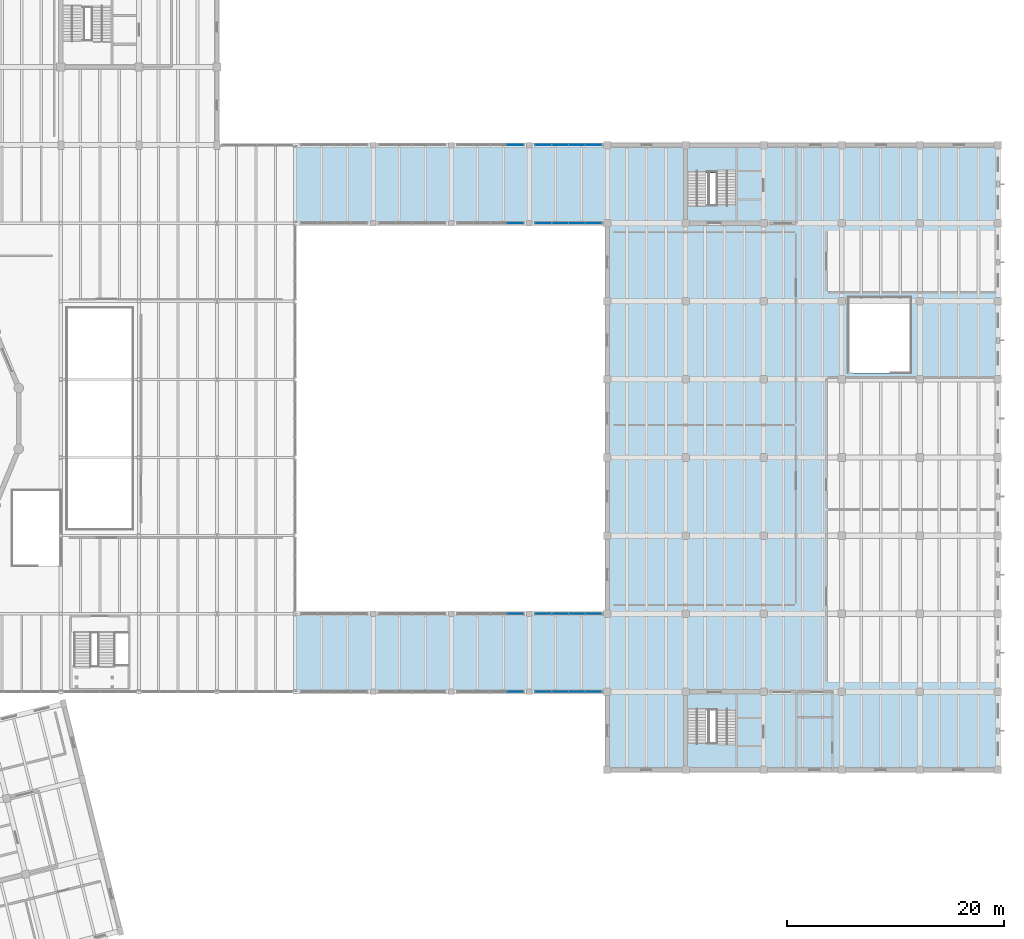
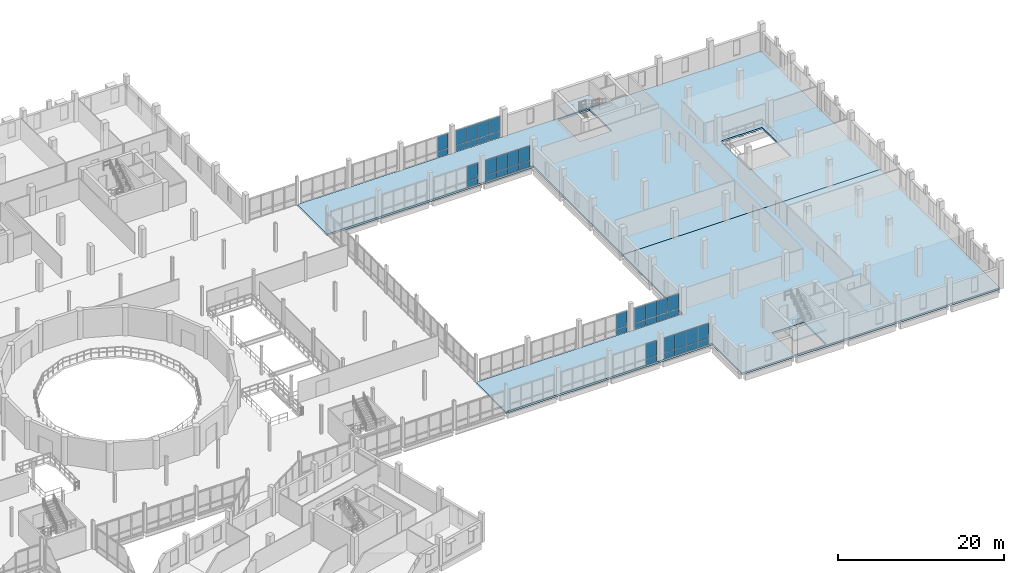
# One storey, part 51 of 72: 40 plates, 4 slabs, 10 elements without a shape of their own.
"""IFC4 building model written with IfcOpenShell, lengths in metres."""

from ifc_helpers import new_model, si_unit, direction, frame, frame_2d, origin, place, context, subcontext, project, spatial, polyline, rectangle, outline, extrude, material, layer, layer_set, type_object, element, aggregate, save


model = new_model("IFC4")

# Units and contexts
model_context = context("Model", 3, precision=1e-05, world=origin(), true_north=direction((0.0, 1.0)))
body_context = subcontext(model_context, "Body", "Model", "MODEL_VIEW")
ifc_project = project(units=[si_unit("LENGTHUNIT", "METRE"), si_unit("AREAUNIT", "SQUARE_METRE"), si_unit("VOLUMEUNIT", "CUBIC_METRE"), si_unit("PLANEANGLEUNIT", "RADIAN"), si_unit("MASSUNIT", "GRAM", prefix="KILO")], contexts=[model_context])

# Site, building, storey
site_placement = place(None, origin())
site = spatial("IfcSite", under=ifc_project, at=site_placement, CompositionType="ELEMENT")
building_placement = place(site_placement, origin())
building = spatial("IfcBuilding", under=site, at=building_placement, Name="Qiaolan Assembly House", CompositionType="ELEMENT")
storey_placement = place(building_placement, frame((0.0, 0.0, 10.199951171875)))
storey = spatial("IfcBuildingStorey", under=building, at=storey_placement, Name="L02", CompositionType="ELEMENT", Elevation=10.199951171875)

# Curtain wall, plates
ifc_material_1 = material(Name="Anodised bronze aluminium", Category="aluminium")
curtain_wall_type = type_object("IfcCurtainWallType", Name="CW-CLOISTER-420", PredefinedType="NOTDEFINED", material=ifc_material_1)
curtain_wall_1_placement = place(storey_placement, origin())
curtain_wall_1 = element("IfcCurtainWall", 1, at=curtain_wall_1_placement, inside=storey, type_object=curtain_wall_type, Name="CW-05 South Cloister outer arcade L02-3", PredefinedType="NOTDEFINED")
ifc_material_2 = material(Name="Low-E double insulating glass", Category="glass")
ifc_layer_1 = layer(ifc_material_2, 0.02587890625)
ifc_layer_set_1 = layer_set([ifc_layer_1], Name="Low-E double insulating glass")
plate_type = type_object("IfcPlateType", Name="CW-CLOISTER-420-PNL", PredefinedType="CURTAIN_PANEL", material=ifc_layer_set_1)
plate_1_placement = place(storey_placement, frame((127.56689453125, 36.0, 0.052978515625), z_axis=(0.0, 0.0, 1.0), x_axis=(1.0, 0.0, 0.0)))
plate_1 = element("IfcPlate", 2, at=plate_1_placement, type_object=plate_type, Name="GL-06 glazing panel CW-CLS-OUT-L02-2-7", PredefinedType="CURTAIN_PANEL", context=body_context, shape_type="SweptSolid", body=[
    extrude(rectangle(XDim=1.486083984375, YDim=0.02587890625, at=frame_2d((0.7431640625, 0.0))), origin(), (0.0, 0.0, 1.0), 0.8740234375),
])
plate_2_placement = place(storey_placement, frame((127.56689453125, 36.0, 0.97314453125), z_axis=(0.0, 0.0, 1.0), x_axis=(1.0, 0.0, 0.0)))
plate_2 = element("IfcPlate", 3, at=plate_2_placement, type_object=plate_type, Name="GL-06 glazing panel CW-CLS-OUT-L02-2-8", PredefinedType="CURTAIN_PANEL", context=body_context, shape_type="SweptSolid", body=[
    extrude(rectangle(XDim=1.486083984375, YDim=0.02587890625, at=frame_2d((0.7431640625, 0.0))), origin(), (0.0, 0.0, 1.0), 2.19384765625),
])
aggregate(curtain_wall_1, [plate_1, plate_2])

curtain_wall_2_placement = place(storey_placement, origin())
curtain_wall_2 = element("IfcCurtainWall", 4, at=curtain_wall_2_placement, inside=storey, type_object=curtain_wall_type, Name="CW-05 South Cloister court arcade L02-3", PredefinedType="NOTDEFINED")
plate_3_placement = place(storey_placement, frame((129.052978515625, 43.199951171875, 0.052978515625), z_axis=(0.0, 0.0, 1.0), x_axis=(-1.0, 0.0, 0.0)))
plate_3 = element("IfcPlate", 5, at=plate_3_placement, type_object=plate_type, Name="GL-06 glazing panel CW-CLS-CRT-L02-2-1", PredefinedType="CURTAIN_PANEL", context=body_context, shape_type="SweptSolid", body=[
    extrude(rectangle(XDim=1.486083984375, YDim=0.02587890625, at=frame_2d((0.7431640625, 0.0))), origin(), (0.0, 0.0, 1.0), 0.8740234375),
])
plate_4_placement = place(storey_placement, frame((129.052978515625, 43.199951171875, 0.97314453125), z_axis=(0.0, 0.0, 1.0), x_axis=(-1.0, 0.0, 0.0)))
plate_4 = element("IfcPlate", 6, at=plate_4_placement, type_object=plate_type, Name="GL-06 glazing panel CW-CLS-CRT-L02-2-2", PredefinedType="CURTAIN_PANEL", context=body_context, shape_type="SweptSolid", body=[
    extrude(rectangle(XDim=1.486083984375, YDim=0.02587890625, at=frame_2d((0.7431640625, 0.0))), origin(), (0.0, 0.0, 1.0), 2.19384765625),
])
aggregate(curtain_wall_2, [plate_3, plate_4])

curtain_wall_3_placement = place(storey_placement, origin())
curtain_wall_3 = element("IfcCurtainWall", 7, at=curtain_wall_3_placement, inside=storey, type_object=curtain_wall_type, Name="CW-05 North Cloister court arcade L02-3", PredefinedType="NOTDEFINED")
plate_5_placement = place(storey_placement, frame((127.56689453125, 79.199951171875, 0.052978515625), z_axis=(0.0, 0.0, 1.0), x_axis=(1.0, 0.0, 0.0)))
plate_5 = element("IfcPlate", 8, at=plate_5_placement, type_object=plate_type, Name="GL-06 glazing panel CW-CLN-CRT-L02-2-7", PredefinedType="CURTAIN_PANEL", context=body_context, shape_type="SweptSolid", body=[
    extrude(rectangle(XDim=1.486083984375, YDim=0.02587890625, at=frame_2d((0.7431640625, 0.0))), origin(), (0.0, 0.0, 1.0), 0.8740234375),
])
plate_6_placement = place(storey_placement, frame((127.56689453125, 79.199951171875, 0.97314453125), z_axis=(0.0, 0.0, 1.0), x_axis=(1.0, 0.0, 0.0)))
plate_6 = element("IfcPlate", 9, at=plate_6_placement, type_object=plate_type, Name="GL-06 glazing panel CW-CLN-CRT-L02-2-8", PredefinedType="CURTAIN_PANEL", context=body_context, shape_type="SweptSolid", body=[
    extrude(rectangle(XDim=1.486083984375, YDim=0.02587890625, at=frame_2d((0.7431640625, 0.0))), origin(), (0.0, 0.0, 1.0), 2.19384765625),
])
aggregate(curtain_wall_3, [plate_5, plate_6])

curtain_wall_4_placement = place(storey_placement, origin())
curtain_wall_4 = element("IfcCurtainWall", 10, at=curtain_wall_4_placement, inside=storey, type_object=curtain_wall_type, Name="CW-05 North Cloister outer arcade L02-3", PredefinedType="NOTDEFINED")
plate_7_placement = place(storey_placement, frame((129.052978515625, 86.39990234375, 0.052978515625), z_axis=(0.0, 0.0, 1.0), x_axis=(-1.0, 0.0, 0.0)))
plate_7 = element("IfcPlate", 11, at=plate_7_placement, type_object=plate_type, Name="GL-06 glazing panel CW-CLN-OUT-L02-2-1", PredefinedType="CURTAIN_PANEL", context=body_context, shape_type="SweptSolid", body=[
    extrude(rectangle(XDim=1.486083984375, YDim=0.02587890625, at=frame_2d((0.7431640625, 0.0))), origin(), (0.0, 0.0, 1.0), 0.8740234375),
])
plate_8_placement = place(storey_placement, frame((129.052978515625, 86.39990234375, 0.97314453125), z_axis=(0.0, 0.0, 1.0), x_axis=(-1.0, 0.0, 0.0)))
plate_8 = element("IfcPlate", 12, at=plate_8_placement, type_object=plate_type, Name="GL-06 glazing panel CW-CLN-OUT-L02-2-2", PredefinedType="CURTAIN_PANEL", context=body_context, shape_type="SweptSolid", body=[
    extrude(rectangle(XDim=1.486083984375, YDim=0.02587890625, at=frame_2d((0.7431640625, 0.0))), origin(), (0.0, 0.0, 1.0), 2.19384765625),
])
aggregate(curtain_wall_4, [plate_7, plate_8])

curtain_wall_5_placement = place(storey_placement, origin())
curtain_wall_5 = element("IfcCurtainWall", 13, at=curtain_wall_5_placement, inside=storey, type_object=curtain_wall_type, Name="CW-05 South Cloister outer arcade L02-4", PredefinedType="NOTDEFINED")
plate_9_placement = place(storey_placement, frame((130.14697265625, 36.0, 0.052978515625), z_axis=(0.0, 0.0, 1.0), x_axis=(1.0, 0.0, 0.0)))
plate_9 = element("IfcPlate", 14, at=plate_9_placement, type_object=plate_type, Name="GL-06 glazing panel CW-CLS-OUT-L02-3-1", PredefinedType="CURTAIN_PANEL", context=body_context, shape_type="SweptSolid", body=[
    extrude(rectangle(XDim=1.486083984375, YDim=0.02587890625, at=frame_2d((0.7431640625, 0.0))), origin(), (0.0, 0.0, 1.0), 0.8740234375),
])
plate_10_placement = place(storey_placement, frame((130.14697265625, 36.0, 0.97314453125), z_axis=(0.0, 0.0, 1.0), x_axis=(1.0, 0.0, 0.0)))
plate_10 = element("IfcPlate", 15, at=plate_10_placement, type_object=plate_type, Name="GL-06 glazing panel CW-CLS-OUT-L02-3-2", PredefinedType="CURTAIN_PANEL", context=body_context, shape_type="SweptSolid", body=[
    extrude(rectangle(XDim=1.486083984375, YDim=0.02587890625, at=frame_2d((0.7431640625, 0.0))), origin(), (0.0, 0.0, 1.0), 2.19384765625),
])
plate_11_placement = place(storey_placement, frame((131.68701171875, 36.0, 0.052978515625), z_axis=(0.0, 0.0, 1.0), x_axis=(1.0, 0.0, 0.0)))
plate_11 = element("IfcPlate", 16, at=plate_11_placement, type_object=plate_type, Name="GL-06 glazing panel CW-CLS-OUT-L02-3-3", PredefinedType="CURTAIN_PANEL", context=body_context, shape_type="SweptSolid", body=[
    extrude(rectangle(XDim=1.486083984375, YDim=0.02587890625, at=frame_2d((0.7431640625, 0.0))), origin(), (0.0, 0.0, 1.0), 0.8740234375),
])
plate_12_placement = place(storey_placement, frame((131.68701171875, 36.0, 0.97314453125), z_axis=(0.0, 0.0, 1.0), x_axis=(1.0, 0.0, 0.0)))
plate_12 = element("IfcPlate", 17, at=plate_12_placement, type_object=plate_type, Name="GL-06 glazing panel CW-CLS-OUT-L02-3-4", PredefinedType="CURTAIN_PANEL", context=body_context, shape_type="SweptSolid", body=[
    extrude(rectangle(XDim=1.486083984375, YDim=0.02587890625, at=frame_2d((0.7431640625, 0.0))), origin(), (0.0, 0.0, 1.0), 2.19384765625),
])
plate_13_placement = place(storey_placement, frame((133.22705078125, 36.0, 0.052978515625), z_axis=(0.0, 0.0, 1.0), x_axis=(1.0, 0.0, 0.0)))
plate_13 = element("IfcPlate", 18, at=plate_13_placement, type_object=plate_type, Name="GL-06 glazing panel CW-CLS-OUT-L02-3-5", PredefinedType="CURTAIN_PANEL", context=body_context, shape_type="SweptSolid", body=[
    extrude(rectangle(XDim=1.48583984375, YDim=0.02587890625, at=frame_2d((0.742919921875, 0.0))), origin(), (0.0, 0.0, 1.0), 0.8740234375),
])
plate_14_placement = place(storey_placement, frame((133.22705078125, 36.0, 0.97314453125), z_axis=(0.0, 0.0, 1.0), x_axis=(1.0, 0.0, 0.0)))
plate_14 = element("IfcPlate", 19, at=plate_14_placement, type_object=plate_type, Name="GL-06 glazing panel CW-CLS-OUT-L02-3-6", PredefinedType="CURTAIN_PANEL", context=body_context, shape_type="SweptSolid", body=[
    extrude(rectangle(XDim=1.48583984375, YDim=0.02587890625, at=frame_2d((0.742919921875, 0.0))), origin(), (0.0, 0.0, 1.0), 2.19384765625),
])
plate_15_placement = place(storey_placement, frame((134.76708984375, 36.0, 0.052978515625), z_axis=(0.0, 0.0, 1.0), x_axis=(1.0, 0.0, 0.0)))
plate_15 = element("IfcPlate", 20, at=plate_15_placement, type_object=plate_type, Name="GL-06 glazing panel CW-CLS-OUT-L02-3-7", PredefinedType="CURTAIN_PANEL", context=body_context, shape_type="SweptSolid", body=[
    extrude(rectangle(XDim=1.48583984375, YDim=0.02587890625, at=frame_2d((0.742919921875, 0.0))), origin(), (0.0, 0.0, 1.0), 0.8740234375),
])
plate_16_placement = place(storey_placement, frame((134.76708984375, 36.0, 0.97314453125), z_axis=(0.0, 0.0, 1.0), x_axis=(1.0, 0.0, 0.0)))
plate_16 = element("IfcPlate", 21, at=plate_16_placement, type_object=plate_type, Name="GL-06 glazing panel CW-CLS-OUT-L02-3-8", PredefinedType="CURTAIN_PANEL", context=body_context, shape_type="SweptSolid", body=[
    extrude(rectangle(XDim=1.48583984375, YDim=0.02587890625, at=frame_2d((0.742919921875, 0.0))), origin(), (0.0, 0.0, 1.0), 2.19384765625),
])
aggregate(curtain_wall_5, [plate_9, plate_10, plate_11, plate_12, plate_13, plate_14, plate_15, plate_16])

curtain_wall_6_placement = place(storey_placement, origin())
curtain_wall_6 = element("IfcCurtainWall", 22, at=curtain_wall_6_placement, inside=storey, type_object=curtain_wall_type, Name="CW-05 South Cloister court arcade L02-4", PredefinedType="NOTDEFINED")
plate_17_placement = place(storey_placement, frame((136.2529296875, 43.199951171875, 0.052978515625), z_axis=(0.0, 0.0, 1.0), x_axis=(-1.0, 0.0, 0.0)))
plate_17 = element("IfcPlate", 23, at=plate_17_placement, type_object=plate_type, Name="GL-06 glazing panel CW-CLS-CRT-L02-3-1", PredefinedType="CURTAIN_PANEL", context=body_context, shape_type="SweptSolid", body=[
    extrude(rectangle(XDim=1.48583984375, YDim=0.02587890625, at=frame_2d((0.742919921875, 0.0))), origin(), (0.0, 0.0, 1.0), 0.8740234375),
])
plate_18_placement = place(storey_placement, frame((136.2529296875, 43.199951171875, 0.97314453125), z_axis=(0.0, 0.0, 1.0), x_axis=(-1.0, 0.0, 0.0)))
plate_18 = element("IfcPlate", 24, at=plate_18_placement, type_object=plate_type, Name="GL-06 glazing panel CW-CLS-CRT-L02-3-2", PredefinedType="CURTAIN_PANEL", context=body_context, shape_type="SweptSolid", body=[
    extrude(rectangle(XDim=1.48583984375, YDim=0.02587890625, at=frame_2d((0.742919921875, 0.0))), origin(), (0.0, 0.0, 1.0), 2.19384765625),
])
plate_19_placement = place(storey_placement, frame((134.712890625, 43.199951171875, 0.052978515625), z_axis=(0.0, 0.0, 1.0), x_axis=(-1.0, 0.0, 0.0)))
plate_19 = element("IfcPlate", 25, at=plate_19_placement, type_object=plate_type, Name="GL-06 glazing panel CW-CLS-CRT-L02-3-3", PredefinedType="CURTAIN_PANEL", context=body_context, shape_type="SweptSolid", body=[
    extrude(rectangle(XDim=1.48583984375, YDim=0.02587890625, at=frame_2d((0.742919921875, 0.0))), origin(), (0.0, 0.0, 1.0), 0.8740234375),
])
plate_20_placement = place(storey_placement, frame((134.712890625, 43.199951171875, 0.97314453125), z_axis=(0.0, 0.0, 1.0), x_axis=(-1.0, 0.0, 0.0)))
plate_20 = element("IfcPlate", 26, at=plate_20_placement, type_object=plate_type, Name="GL-06 glazing panel CW-CLS-CRT-L02-3-4", PredefinedType="CURTAIN_PANEL", context=body_context, shape_type="SweptSolid", body=[
    extrude(rectangle(XDim=1.48583984375, YDim=0.02587890625, at=frame_2d((0.742919921875, 0.0))), origin(), (0.0, 0.0, 1.0), 2.19384765625),
])
plate_21_placement = place(storey_placement, frame((133.173095703125, 43.199951171875, 0.052978515625), z_axis=(0.0, 0.0, 1.0), x_axis=(-1.0, 0.0, 0.0)))
plate_21 = element("IfcPlate", 27, at=plate_21_placement, type_object=plate_type, Name="GL-06 glazing panel CW-CLS-CRT-L02-3-5", PredefinedType="CURTAIN_PANEL", context=body_context, shape_type="SweptSolid", body=[
    extrude(rectangle(XDim=1.486083984375, YDim=0.02587890625, at=frame_2d((0.7431640625, 0.0))), origin(), (0.0, 0.0, 1.0), 0.8740234375),
])
plate_22_placement = place(storey_placement, frame((133.173095703125, 43.199951171875, 0.97314453125), z_axis=(0.0, 0.0, 1.0), x_axis=(-1.0, 0.0, 0.0)))
plate_22 = element("IfcPlate", 28, at=plate_22_placement, type_object=plate_type, Name="GL-06 glazing panel CW-CLS-CRT-L02-3-6", PredefinedType="CURTAIN_PANEL", context=body_context, shape_type="SweptSolid", body=[
    extrude(rectangle(XDim=1.486083984375, YDim=0.02587890625, at=frame_2d((0.7431640625, 0.0))), origin(), (0.0, 0.0, 1.0), 2.19384765625),
])
plate_23_placement = place(storey_placement, frame((131.633056640625, 43.199951171875, 0.052978515625), z_axis=(0.0, 0.0, 1.0), x_axis=(-1.0, 0.0, 0.0)))
plate_23 = element("IfcPlate", 29, at=plate_23_placement, type_object=plate_type, Name="GL-06 glazing panel CW-CLS-CRT-L02-3-7", PredefinedType="CURTAIN_PANEL", context=body_context, shape_type="SweptSolid", body=[
    extrude(rectangle(XDim=1.486083984375, YDim=0.02587890625, at=frame_2d((0.7431640625, 0.0))), origin(), (0.0, 0.0, 1.0), 0.8740234375),
])
plate_24_placement = place(storey_placement, frame((131.633056640625, 43.199951171875, 0.97314453125), z_axis=(0.0, 0.0, 1.0), x_axis=(-1.0, 0.0, 0.0)))
plate_24 = element("IfcPlate", 30, at=plate_24_placement, type_object=plate_type, Name="GL-06 glazing panel CW-CLS-CRT-L02-3-8", PredefinedType="CURTAIN_PANEL", context=body_context, shape_type="SweptSolid", body=[
    extrude(rectangle(XDim=1.486083984375, YDim=0.02587890625, at=frame_2d((0.7431640625, 0.0))), origin(), (0.0, 0.0, 1.0), 2.19384765625),
])
aggregate(curtain_wall_6, [plate_17, plate_18, plate_19, plate_20, plate_21, plate_22, plate_23, plate_24])

curtain_wall_7_placement = place(storey_placement, origin())
curtain_wall_7 = element("IfcCurtainWall", 31, at=curtain_wall_7_placement, inside=storey, type_object=curtain_wall_type, Name="CW-05 North Cloister court arcade L02-4", PredefinedType="NOTDEFINED")
plate_25_placement = place(storey_placement, frame((130.14697265625, 79.199951171875, 0.052978515625), z_axis=(0.0, 0.0, 1.0), x_axis=(1.0, 0.0, 0.0)))
plate_25 = element("IfcPlate", 32, at=plate_25_placement, type_object=plate_type, Name="GL-06 glazing panel CW-CLN-CRT-L02-3-1", PredefinedType="CURTAIN_PANEL", context=body_context, shape_type="SweptSolid", body=[
    extrude(rectangle(XDim=1.486083984375, YDim=0.02587890625, at=frame_2d((0.7431640625, 0.0))), origin(), (0.0, 0.0, 1.0), 0.8740234375),
])
plate_26_placement = place(storey_placement, frame((130.14697265625, 79.199951171875, 0.97314453125), z_axis=(0.0, 0.0, 1.0), x_axis=(1.0, 0.0, 0.0)))
plate_26 = element("IfcPlate", 33, at=plate_26_placement, type_object=plate_type, Name="GL-06 glazing panel CW-CLN-CRT-L02-3-2", PredefinedType="CURTAIN_PANEL", context=body_context, shape_type="SweptSolid", body=[
    extrude(rectangle(XDim=1.486083984375, YDim=0.02587890625, at=frame_2d((0.7431640625, 0.0))), origin(), (0.0, 0.0, 1.0), 2.19384765625),
])
plate_27_placement = place(storey_placement, frame((131.68701171875, 79.199951171875, 0.052978515625), z_axis=(0.0, 0.0, 1.0), x_axis=(1.0, 0.0, 0.0)))
plate_27 = element("IfcPlate", 34, at=plate_27_placement, type_object=plate_type, Name="GL-06 glazing panel CW-CLN-CRT-L02-3-3", PredefinedType="CURTAIN_PANEL", context=body_context, shape_type="SweptSolid", body=[
    extrude(rectangle(XDim=1.486083984375, YDim=0.02587890625, at=frame_2d((0.7431640625, 0.0))), origin(), (0.0, 0.0, 1.0), 0.8740234375),
])
plate_28_placement = place(storey_placement, frame((131.68701171875, 79.199951171875, 0.97314453125), z_axis=(0.0, 0.0, 1.0), x_axis=(1.0, 0.0, 0.0)))
plate_28 = element("IfcPlate", 35, at=plate_28_placement, type_object=plate_type, Name="GL-06 glazing panel CW-CLN-CRT-L02-3-4", PredefinedType="CURTAIN_PANEL", context=body_context, shape_type="SweptSolid", body=[
    extrude(rectangle(XDim=1.486083984375, YDim=0.02587890625, at=frame_2d((0.7431640625, 0.0))), origin(), (0.0, 0.0, 1.0), 2.19384765625),
])
plate_29_placement = place(storey_placement, frame((133.22705078125, 79.199951171875, 0.052978515625), z_axis=(0.0, 0.0, 1.0), x_axis=(1.0, 0.0, 0.0)))
plate_29 = element("IfcPlate", 36, at=plate_29_placement, type_object=plate_type, Name="GL-06 glazing panel CW-CLN-CRT-L02-3-5", PredefinedType="CURTAIN_PANEL", context=body_context, shape_type="SweptSolid", body=[
    extrude(rectangle(XDim=1.48583984375, YDim=0.02587890625, at=frame_2d((0.742919921875, 0.0))), origin(), (0.0, 0.0, 1.0), 0.8740234375),
])
plate_30_placement = place(storey_placement, frame((133.22705078125, 79.199951171875, 0.97314453125), z_axis=(0.0, 0.0, 1.0), x_axis=(1.0, 0.0, 0.0)))
plate_30 = element("IfcPlate", 37, at=plate_30_placement, type_object=plate_type, Name="GL-06 glazing panel CW-CLN-CRT-L02-3-6", PredefinedType="CURTAIN_PANEL", context=body_context, shape_type="SweptSolid", body=[
    extrude(rectangle(XDim=1.48583984375, YDim=0.02587890625, at=frame_2d((0.742919921875, 0.0))), origin(), (0.0, 0.0, 1.0), 2.19384765625),
])
plate_31_placement = place(storey_placement, frame((134.76708984375, 79.199951171875, 0.052978515625), z_axis=(0.0, 0.0, 1.0), x_axis=(1.0, 0.0, 0.0)))
plate_31 = element("IfcPlate", 38, at=plate_31_placement, type_object=plate_type, Name="GL-06 glazing panel CW-CLN-CRT-L02-3-7", PredefinedType="CURTAIN_PANEL", context=body_context, shape_type="SweptSolid", body=[
    extrude(rectangle(XDim=1.48583984375, YDim=0.02587890625, at=frame_2d((0.742919921875, 0.0))), origin(), (0.0, 0.0, 1.0), 0.8740234375),
])
plate_32_placement = place(storey_placement, frame((134.76708984375, 79.199951171875, 0.97314453125), z_axis=(0.0, 0.0, 1.0), x_axis=(1.0, 0.0, 0.0)))
plate_32 = element("IfcPlate", 39, at=plate_32_placement, type_object=plate_type, Name="GL-06 glazing panel CW-CLN-CRT-L02-3-8", PredefinedType="CURTAIN_PANEL", context=body_context, shape_type="SweptSolid", body=[
    extrude(rectangle(XDim=1.48583984375, YDim=0.02587890625, at=frame_2d((0.742919921875, 0.0))), origin(), (0.0, 0.0, 1.0), 2.19384765625),
])
aggregate(curtain_wall_7, [plate_25, plate_26, plate_27, plate_28, plate_29, plate_30, plate_31, plate_32])

curtain_wall_8_placement = place(storey_placement, origin())
curtain_wall_8 = element("IfcCurtainWall", 40, at=curtain_wall_8_placement, inside=storey, type_object=curtain_wall_type, Name="CW-05 North Cloister outer arcade L02-4", PredefinedType="NOTDEFINED")
plate_33_placement = place(storey_placement, frame((136.2529296875, 86.39990234375, 0.052978515625), z_axis=(0.0, 0.0, 1.0), x_axis=(-1.0, 0.0, 0.0)))
plate_33 = element("IfcPlate", 41, at=plate_33_placement, type_object=plate_type, Name="GL-06 glazing panel CW-CLN-OUT-L02-3-1", PredefinedType="CURTAIN_PANEL", context=body_context, shape_type="SweptSolid", body=[
    extrude(rectangle(XDim=1.48583984375, YDim=0.02587890625, at=frame_2d((0.742919921875, 0.0))), origin(), (0.0, 0.0, 1.0), 0.8740234375),
])
plate_34_placement = place(storey_placement, frame((136.2529296875, 86.39990234375, 0.97314453125), z_axis=(0.0, 0.0, 1.0), x_axis=(-1.0, 0.0, 0.0)))
plate_34 = element("IfcPlate", 42, at=plate_34_placement, type_object=plate_type, Name="GL-06 glazing panel CW-CLN-OUT-L02-3-2", PredefinedType="CURTAIN_PANEL", context=body_context, shape_type="SweptSolid", body=[
    extrude(rectangle(XDim=1.48583984375, YDim=0.02587890625, at=frame_2d((0.742919921875, 0.0))), origin(), (0.0, 0.0, 1.0), 2.19384765625),
])
plate_35_placement = place(storey_placement, frame((134.712890625, 86.39990234375, 0.052978515625), z_axis=(0.0, 0.0, 1.0), x_axis=(-1.0, 0.0, 0.0)))
plate_35 = element("IfcPlate", 43, at=plate_35_placement, type_object=plate_type, Name="GL-06 glazing panel CW-CLN-OUT-L02-3-3", PredefinedType="CURTAIN_PANEL", context=body_context, shape_type="SweptSolid", body=[
    extrude(rectangle(XDim=1.48583984375, YDim=0.02587890625, at=frame_2d((0.742919921875, 0.0))), origin(), (0.0, 0.0, 1.0), 0.8740234375),
])
plate_36_placement = place(storey_placement, frame((134.712890625, 86.39990234375, 0.97314453125), z_axis=(0.0, 0.0, 1.0), x_axis=(-1.0, 0.0, 0.0)))
plate_36 = element("IfcPlate", 44, at=plate_36_placement, type_object=plate_type, Name="GL-06 glazing panel CW-CLN-OUT-L02-3-4", PredefinedType="CURTAIN_PANEL", context=body_context, shape_type="SweptSolid", body=[
    extrude(rectangle(XDim=1.48583984375, YDim=0.02587890625, at=frame_2d((0.742919921875, 0.0))), origin(), (0.0, 0.0, 1.0), 2.19384765625),
])
plate_37_placement = place(storey_placement, frame((133.173095703125, 86.39990234375, 0.052978515625), z_axis=(0.0, 0.0, 1.0), x_axis=(-1.0, 0.0, 0.0)))
plate_37 = element("IfcPlate", 45, at=plate_37_placement, type_object=plate_type, Name="GL-06 glazing panel CW-CLN-OUT-L02-3-5", PredefinedType="CURTAIN_PANEL", context=body_context, shape_type="SweptSolid", body=[
    extrude(rectangle(XDim=1.486083984375, YDim=0.02587890625, at=frame_2d((0.7431640625, 0.0))), origin(), (0.0, 0.0, 1.0), 0.8740234375),
])
plate_38_placement = place(storey_placement, frame((133.173095703125, 86.39990234375, 0.97314453125), z_axis=(0.0, 0.0, 1.0), x_axis=(-1.0, 0.0, 0.0)))
plate_38 = element("IfcPlate", 46, at=plate_38_placement, type_object=plate_type, Name="GL-06 glazing panel CW-CLN-OUT-L02-3-6", PredefinedType="CURTAIN_PANEL", context=body_context, shape_type="SweptSolid", body=[
    extrude(rectangle(XDim=1.486083984375, YDim=0.02587890625, at=frame_2d((0.7431640625, 0.0))), origin(), (0.0, 0.0, 1.0), 2.19384765625),
])
plate_39_placement = place(storey_placement, frame((131.633056640625, 86.39990234375, 0.052978515625), z_axis=(0.0, 0.0, 1.0), x_axis=(-1.0, 0.0, 0.0)))
plate_39 = element("IfcPlate", 47, at=plate_39_placement, type_object=plate_type, Name="GL-06 glazing panel CW-CLN-OUT-L02-3-7", PredefinedType="CURTAIN_PANEL", context=body_context, shape_type="SweptSolid", body=[
    extrude(rectangle(XDim=1.486083984375, YDim=0.02587890625, at=frame_2d((0.7431640625, 0.0))), origin(), (0.0, 0.0, 1.0), 0.8740234375),
])
plate_40_placement = place(storey_placement, frame((131.633056640625, 86.39990234375, 0.97314453125), z_axis=(0.0, 0.0, 1.0), x_axis=(-1.0, 0.0, 0.0)))
plate_40 = element("IfcPlate", 48, at=plate_40_placement, type_object=plate_type, Name="GL-06 glazing panel CW-CLN-OUT-L02-3-8", PredefinedType="CURTAIN_PANEL", context=body_context, shape_type="SweptSolid", body=[
    extrude(rectangle(XDim=1.486083984375, YDim=0.02587890625, at=frame_2d((0.7431640625, 0.0))), origin(), (0.0, 0.0, 1.0), 2.19384765625),
])
aggregate(curtain_wall_8, [plate_33, plate_34, plate_35, plate_36, plate_37, plate_38, plate_39, plate_40])

# Stair, slab
ifc_material_3 = material(Name="Concrete C40/50", Category="concrete")
stair_type = type_object("IfcStairType", Name="STR-LIB-420", PredefinedType="HALF_TURN_STAIR", material=ifc_material_3)
stair_1_placement = place(storey_placement, origin())
stair_1 = element("IfcStair", 49, at=stair_1_placement, inside=storey, type_object=stair_type, Name="ST-06 enclosed egress stair CORE-E L02", PredefinedType="HALF_TURN_STAIR")
ifc_layer_2 = layer(ifc_material_3, 0.199951171875)
ifc_layer_set_2 = layer_set([ifc_layer_2], Name="Concrete C40/50")
slab_type_1 = type_object("IfcSlabType", Name="SLB-LANDING-200", PredefinedType="LANDING", material=ifc_layer_set_2)
slab_1_placement = place(storey_placement, frame((0.0, 0.0, 1.900146484375)))
slab_1 = element("IfcSlab", 50, at=slab_1_placement, type_object=slab_type_1, Name="Stair landing LND-CORE-E-L02-HL", PredefinedType="LANDING", context=body_context, shape_type="SweptSolid", body=[
    extrude(outline(polyline([(144.179931640625, 28.97998046875), (144.179931640625, 31.3701171875), (148.719970703125, 31.3701171875), (148.719970703125, 28.97998046875), (144.179931640625, 28.97998046875)])), origin(), (0.0, 0.0, 1.0), 0.199951171875),
])
aggregate(stair_1, [slab_1])

stair_2_placement = place(storey_placement, origin())
stair_2 = element("IfcStair", 51, at=stair_2_placement, inside=storey, type_object=stair_type, Name="ST-06 enclosed egress stair CORE-F L02", PredefinedType="HALF_TURN_STAIR")
slab_2_placement = place(storey_placement, frame((0.0, 0.0, 1.900146484375)))
slab_2 = element("IfcSlab", 52, at=slab_2_placement, type_object=slab_type_1, Name="Stair landing LND-CORE-F-L02-HL", PredefinedType="LANDING", context=body_context, shape_type="SweptSolid", body=[
    extrude(outline(polyline([(144.179931640625, 83.830078125), (144.179931640625, 86.219970703125), (148.719970703125, 86.219970703125), (148.719970703125, 83.830078125), (144.179931640625, 83.830078125)])), origin(), (0.0, 0.0, 1.0), 0.199951171875),
])
aggregate(stair_2, [slab_2])

# Slabs
ifc_layer_3 = layer(ifc_material_3, 0.27001953125)
ifc_layer_set_3 = layer_set([ifc_layer_3], Name="Concrete C40/50")
slab_type_2 = type_object("IfcSlabType", Name="SLB-LIB-STACK-270", PredefinedType="FLOOR", material=ifc_layer_set_3)
slab_3_placement = place(storey_placement, frame((0.0, 0.0, -0.27001953125)))
element("IfcSlab", 53, at=slab_3_placement, inside=storey, type_object=slab_type_2, Name="FS-05 East Members' Library South Wing Slab L02", PredefinedType="FLOOR", context=body_context, shape_type="SweptSolid", body=[
    extrude(outline(polyline([(108.0, 36.0), (136.800048828125, 36.0), (136.800048828125, 28.800048828125), (172.800048828125, 28.800048828125), (172.800048828125, 57.60009765625), (136.800048828125, 57.60009765625), (136.800048828125, 43.199951171875), (108.0, 43.199951171875), (108.0, 36.0)]), holes=[polyline([(144.199951171875, 29.0), (144.199951171875, 34.35009765625), (148.679931640625, 34.35009765625), (148.679931640625, 29.0), (144.199951171875, 29.0)])]), origin(), (0.0, 0.0, 1.0), 0.27001953125),
])
slab_4_placement = place(storey_placement, frame((0.0, 0.0, -0.27001953125)))
element("IfcSlab", 54, at=slab_4_placement, inside=storey, type_object=slab_type_2, Name="FS-05 East Members' Library North Wing Slab L02", PredefinedType="FLOOR", context=body_context, shape_type="SweptSolid", body=[
    extrude(outline(polyline([(136.800048828125, 57.60009765625), (172.800048828125, 57.60009765625), (172.800048828125, 86.39990234375), (108.0, 86.39990234375), (108.0, 79.199951171875), (136.800048828125, 79.199951171875), (136.800048828125, 57.60009765625)]), holes=[polyline([(144.199951171875, 80.85009765625), (144.199951171875, 86.199951171875), (148.679931640625, 86.199951171875), (148.679931640625, 80.85009765625), (144.199951171875, 80.85009765625)]), polyline([(159.0, 65.39990234375), (159.0, 72.39990234375), (164.800048828125, 72.39990234375), (164.800048828125, 65.39990234375), (159.0, 65.39990234375)])]), origin(), (0.0, 0.0, 1.0), 0.27001953125),
])

save(model, "model.ifc")
